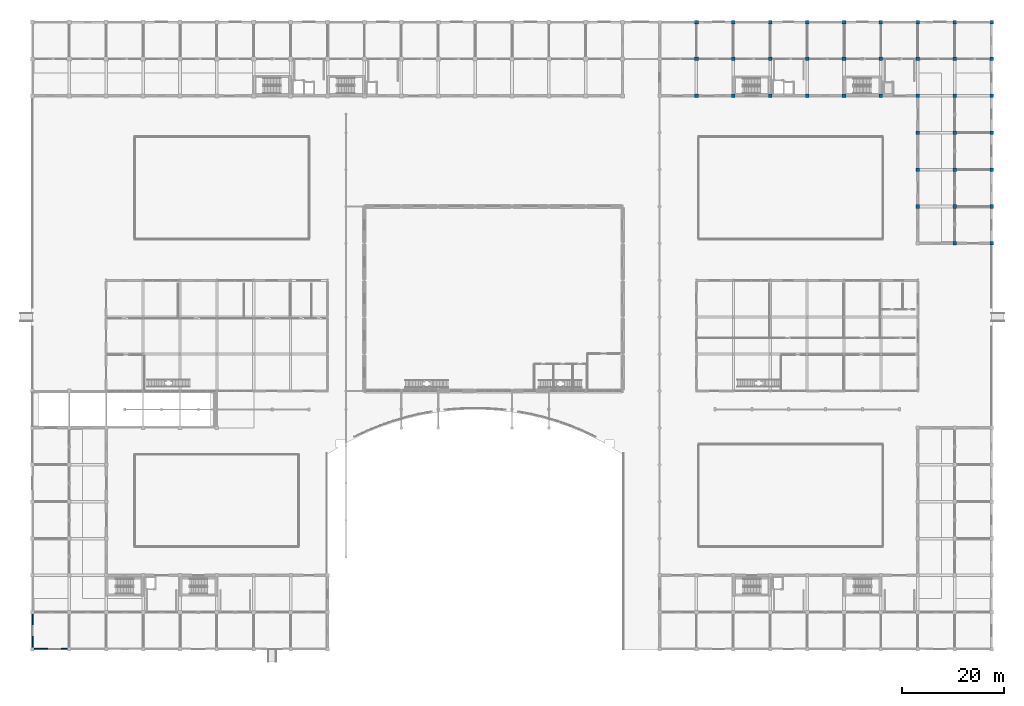
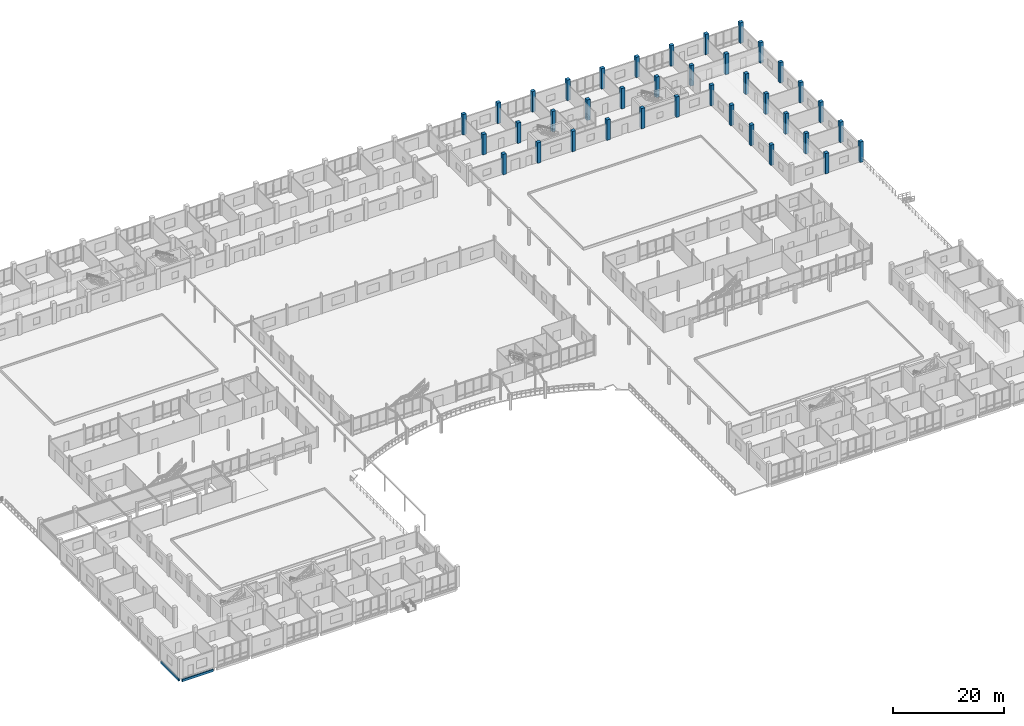
# One storey, part 18 of 139: 38 columns, 2 beams.
"""IFC4 building model written with IfcOpenShell, lengths in metres."""

from ifc_helpers import new_model, si_unit, direction, frame, origin, origin_2d, place, context, subcontext, project, spatial, rectangle, extrude, material, material_profile, profile_set, type_object, element, save


model = new_model("IFC4")

# Units and contexts
model_context = context("Model", 3, precision=1e-05, world=origin(), true_north=direction((0.0, 1.0)))
body_context = subcontext(model_context, "Body", "Model", "MODEL_VIEW")
ifc_project = project(units=[si_unit("LENGTHUNIT", "METRE"), si_unit("AREAUNIT", "SQUARE_METRE"), si_unit("VOLUMEUNIT", "CUBIC_METRE"), si_unit("PLANEANGLEUNIT", "RADIAN"), si_unit("MASSUNIT", "GRAM", prefix="KILO")], contexts=[model_context])

# Site, building, storey
site_placement = place(None, origin())
site = spatial("IfcSite", under=ifc_project, at=site_placement, CompositionType="ELEMENT")
building_placement = place(site_placement, origin())
building = spatial("IfcBuilding", under=site, at=building_placement, Name="Suanplinth Sawtooth Commons", CompositionType="ELEMENT")
storey_placement = place(building_placement, origin())
storey = spatial("IfcBuildingStorey", under=building, at=storey_placement, Name="L00", CompositionType="ELEMENT", Elevation=0.0)

# Columns
ifc_material_1 = material(Name="Concrete C40/50", Category="concrete")
ifc_material_profile_1 = material_profile(ifc_material_1, rectangle(XDim=0.699951171875, YDim=0.699951171875, at=origin_2d()), Name="RC-COL 700x700")
ifc_profile_set_1 = profile_set([ifc_material_profile_1], Name="Concrete C40/50")
column_type = type_object("IfcColumnType", Name="C-02", PredefinedType="COLUMN", material=ifc_profile_set_1)
for number, where, z_axis, x_axis, name in (
    (1, (129.60009765625, 108.0, 0.0), (0.0, 0.0, 1.0), (1.0, 0.0, 0.0), "Column L00 19/R"),
    (2, (129.60009765625, 115.199951171875, 0.0), (0.0, 0.0, 1.0), (1.0, 0.0, 0.0), "Column L00 19/S"),
    (3, (129.60009765625, 122.39990234375, 0.0), (0.0, 0.0, 1.0), (1.0, 0.0, 0.0), "Column L00 19/T"),
    (4, (136.800048828125, 108.0, 0.0), (0.0, 0.0, 1.0), (1.0, 0.0, 0.0), "Column L00 20/R"),
    (5, (136.800048828125, 115.199951171875, 0.0), (0.0, 0.0, 1.0), (1.0, 0.0, 0.0), "Column L00 20/S"),
    (6, (136.800048828125, 122.39990234375, 0.0), (0.0, 0.0, 1.0), (1.0, 0.0, 0.0), "Column L00 20/T"),
    (7, (144.0, 108.0, 0.0), (0.0, 0.0, 1.0), (1.0, 0.0, 0.0), "Column L00 21/R"),
    (8, (144.0, 115.199951171875, 0.0), (0.0, 0.0, 1.0), (1.0, 0.0, 0.0), "Column L00 21/S"),
    (9, (144.0, 122.39990234375, 0.0), (0.0, 0.0, 1.0), (1.0, 0.0, 0.0), "Column L00 21/T"),
    (10, (151.199951171875, 108.0, 0.0), (0.0, 0.0, 1.0), (1.0, 0.0, 0.0), "Column L00 22/R"),
    (11, (151.199951171875, 115.199951171875, 0.0), (0.0, 0.0, 1.0), (1.0, 0.0, 0.0), "Column L00 22/S"),
    (12, (151.199951171875, 122.39990234375, 0.0), (0.0, 0.0, 1.0), (1.0, 0.0, 0.0), "Column L00 22/T"),
    (13, (158.39990234375, 108.0, 0.0), (0.0, 0.0, 1.0), (1.0, 0.0, 0.0), "Column L00 23/R"),
    (14, (158.39990234375, 115.199951171875, 0.0), (0.0, 0.0, 1.0), (1.0, 0.0, 0.0), "Column L00 23/S"),
    (15, (158.39990234375, 122.39990234375, 0.0), (0.0, 0.0, 1.0), (1.0, 0.0, 0.0), "Column L00 23/T"),
    (16, (165.60009765625, 108.0, 0.0), (0.0, 0.0, 1.0), (1.0, 0.0, 0.0), "Column L00 24/R"),
    (17, (165.60009765625, 115.199951171875, 0.0), (0.0, 0.0, 1.0), (1.0, 0.0, 0.0), "Column L00 24/S"),
    (18, (165.60009765625, 122.39990234375, 0.0), (0.0, 0.0, 1.0), (1.0, 0.0, 0.0), "Column L00 24/T"),
    (19, (172.800048828125, 86.39990234375, 0.0), (0.0, 0.0, 1.0), (1.0, 0.0, 0.0), "Column L00 25/N"),
    (20, (172.800048828125, 93.60009765625, 0.0), (0.0, 0.0, 1.0), (1.0, 0.0, 0.0), "Column L00 25/P"),
    (21, (172.800048828125, 100.800048828125, 0.0), (0.0, 0.0, 1.0), (1.0, 0.0, 0.0), "Column L00 25/Q"),
    (22, (172.800048828125, 108.0, 0.0), (0.0, 0.0, 1.0), (1.0, 0.0, 0.0), "Column L00 25/R"),
    (23, (172.800048828125, 115.199951171875, 0.0), (0.0, 0.0, 1.0), (1.0, 0.0, 0.0), "Column L00 25/S"),
    (24, (172.800048828125, 122.39990234375, 0.0), (0.0, 0.0, 1.0), (1.0, 0.0, 0.0), "Column L00 25/T"),
    (25, (180.0, 79.199951171875, 0.0), (0.0, 0.0, 1.0), (1.0, 0.0, 0.0), "Column L00 26/M"),
    (26, (180.0, 86.39990234375, 0.0), (0.0, 0.0, 1.0), (1.0, 0.0, 0.0), "Column L00 26/N"),
    (27, (180.0, 93.60009765625, 0.0), (0.0, 0.0, 1.0), (1.0, 0.0, 0.0), "Column L00 26/P"),
    (28, (180.0, 100.800048828125, 0.0), (0.0, 0.0, 1.0), (1.0, 0.0, 0.0), "Column L00 26/Q"),
    (29, (180.0, 108.0, 0.0), (0.0, 0.0, 1.0), (1.0, 0.0, 0.0), "Column L00 26/R"),
    (30, (180.0, 115.199951171875, 0.0), (0.0, 0.0, 1.0), (1.0, 0.0, 0.0), "Column L00 26/S"),
    (31, (180.0, 122.39990234375, 0.0), (0.0, 0.0, 1.0), (1.0, 0.0, 0.0), "Column L00 26/T"),
    (32, (187.199951171875, 79.199951171875, 0.0), (0.0, 0.0, 1.0), (1.0, 0.0, 0.0), "Column L00 27/M"),
    (33, (187.199951171875, 86.39990234375, 0.0), (0.0, 0.0, 1.0), (1.0, 0.0, 0.0), "Column L00 27/N"),
    (34, (187.199951171875, 93.60009765625, 0.0), (0.0, 0.0, 1.0), (1.0, 0.0, 0.0), "Column L00 27/P"),
    (35, (187.199951171875, 100.800048828125, 0.0), (0.0, 0.0, 1.0), (1.0, 0.0, 0.0), "Column L00 27/Q"),
    (36, (187.199951171875, 108.0, 0.0), (0.0, 0.0, 1.0), (1.0, 0.0, 0.0), "Column L00 27/R"),
    (37, (187.199951171875, 115.199951171875, 0.0), (0.0, 0.0, 1.0), (1.0, 0.0, 0.0), "Column L00 27/S"),
    (38, (187.199951171875, 122.39990234375, 0.0), (0.0, 0.0, 1.0), (1.0, 0.0, 0.0), "Column L00 27/T"),
):
    element("IfcColumn", number, at=place(storey_placement, frame(where, z_axis=z_axis, x_axis=x_axis)), inside=storey, type_object=column_type, Name=name, PredefinedType="COLUMN", context=body_context, shape_type="SweptSolid", body=[
        extrude(rectangle(XDim=0.699951171875, YDim=0.699951171875, at=origin_2d()), origin(), (0.0, 0.0, 1.0), 4.5),
    ])

# Beams
ifc_material_2 = material(Name="Precast concrete C40/50", Category="concrete")
ifc_material_profile_2 = material_profile(ifc_material_2, rectangle(XDim=0.280029296875, YDim=0.52001953125, at=origin_2d()), Name="PC-SP 280x520")
ifc_profile_set_2 = profile_set([ifc_material_profile_2], Name="Precast concrete C40/50")
beam_type = type_object("IfcBeamType", Name="B-08", PredefinedType="SPANDREL", material=ifc_profile_set_2)
for number, where, z_axis, x_axis, name in (
    (39, (0.35009765625, 0.0, -0.669921875), (1.0, 0.0, 0.0), (0.0, 1.0, 0.0), "BMX-L00-D-0-0"),
    (40, (0.0, 0.35009765625, -0.669921875), (0.0, 1.0, 0.0), (-1.0, 0.0, 0.0), "BMY-L00-D-0-0"),
):
    element("IfcBeam", number, at=place(storey_placement, frame(where, z_axis=z_axis, x_axis=x_axis)), inside=storey, type_object=beam_type, Name=name, PredefinedType="SPANDREL", context=body_context, shape_type="SweptSolid", body=[
        extrude(rectangle(XDim=0.280029296875, YDim=0.52001953125, at=origin_2d()), origin(), (0.0, 0.0, 1.0), 6.5),
    ])

save(model, "model.ifc")
